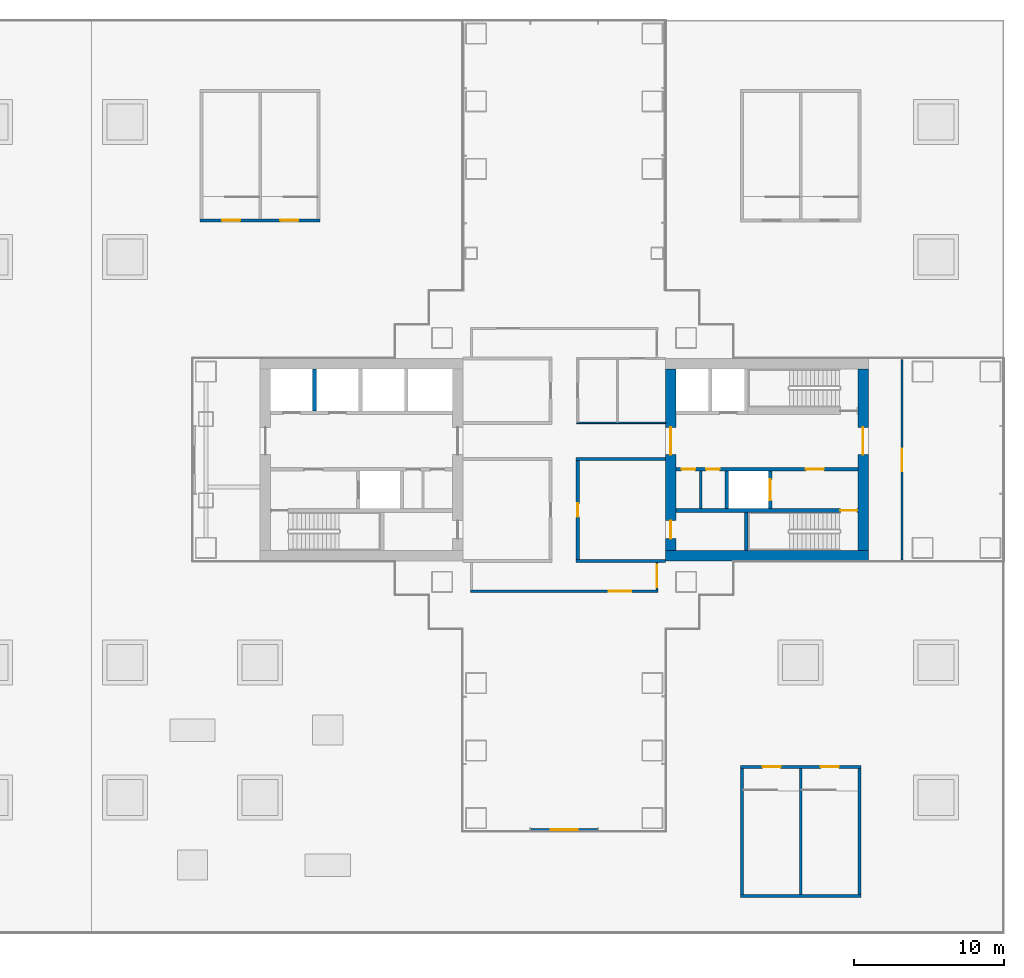
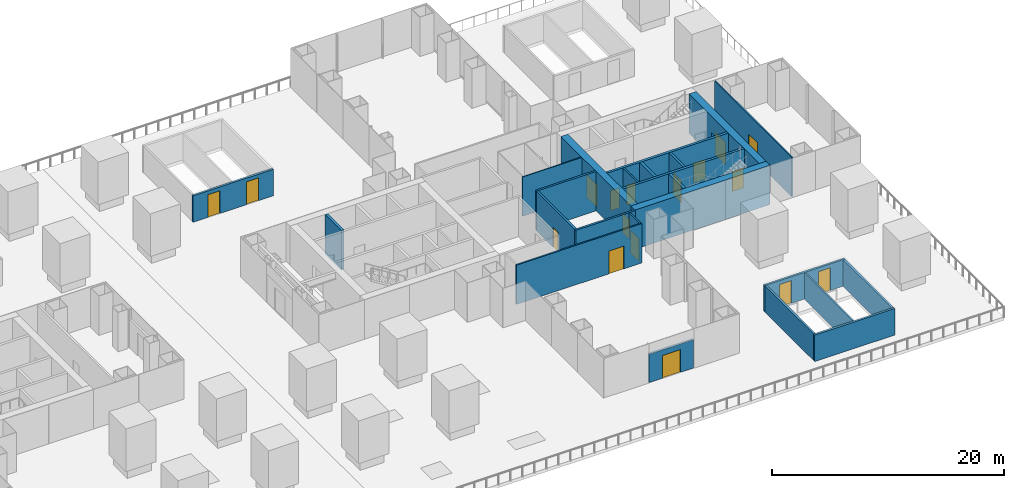
# One storey, part 17 of 23: 24 walls, 17 doors, 17 openings.
"""IFC4 building model written with IfcOpenShell, lengths in metres."""

from ifc_helpers import new_model, si_unit, direction, frame, frame_2d, origin, place, context, subcontext, project, spatial, rectangle, extrude, material, layer, layer_set, type_object, element, fill, save


model = new_model("IFC4")

# Units and contexts
model_context = context("Model", 3, precision=1e-05, world=origin(), true_north=direction((0.0, 1.0)))
body_context = subcontext(model_context, "Body", "Model", "MODEL_VIEW")
ifc_project = project(units=[si_unit("LENGTHUNIT", "METRE"), si_unit("AREAUNIT", "SQUARE_METRE"), si_unit("VOLUMEUNIT", "CUBIC_METRE"), si_unit("PLANEANGLEUNIT", "RADIAN"), si_unit("MASSUNIT", "GRAM", prefix="KILO")], contexts=[model_context])

# Site, building, storey
site_placement = place(None, origin())
site = spatial("IfcSite", under=ifc_project, at=site_placement, CompositionType="ELEMENT")
building_placement = place(site_placement, origin())
building = spatial("IfcBuilding", under=site, at=building_placement, Name="Shamsa Quay Exchange Towers", CompositionType="ELEMENT")
storey_placement = place(building_placement, frame((0.0, 0.0, 28.5)))
storey = spatial("IfcBuildingStorey", under=building, at=storey_placement, Name="L05", CompositionType="ELEMENT", Elevation=28.5)

# Wall
ifc_material_1 = material(Name="Concrete C80/95", Category="concrete")
ifc_layer_1 = layer(ifc_material_1, 0.699951171875)
ifc_layer_set_1 = layer_set([ifc_layer_1], Name="CORE WALL 700 C80/95")
wall_type_1 = type_object("IfcWallType", Name="CORE WALL 700 C80/95", PredefinedType="SHEAR", material=ifc_layer_set_1)
wall_1_placement = place(storey_placement, frame((54.0, -6.39990234375, 0.0), z_axis=(0.0, 0.0, 1.0), x_axis=(-1.0, 0.0, 0.0)))
element("IfcWall", 1, at=wall_1_placement, inside=storey, type_object=wall_type_1, Name="Core wall T2B-R01-PS", PredefinedType="SHEAR", context=body_context, shape_type="SweptSolid", body=[
    extrude(rectangle(XDim=13.5, YDim=0.699951171875, at=frame_2d((6.75, 0.0))), origin(), (0.0, 0.0, 1.0), 4.14990234375),
])

# Wall, opening, door
wall_2_placement = place(storey_placement, frame((53.64990234375, -6.050048828125, 0.0), z_axis=(0.0, 0.0, 1.0), x_axis=(0.0, 1.0, 0.0)))
wall_2 = element("IfcWall", 2, at=wall_2_placement, inside=storey, type_object=wall_type_1, Name="Core wall T2B-R01-PF", PredefinedType="SHEAR", context=body_context, shape_type="SweptSolid", body=[
    extrude(rectangle(XDim=12.10009765625, YDim=0.699951171875, at=frame_2d((6.050048828125, 0.0))), origin(), (0.0, 0.0, 1.0), 4.14990234375),
])
opening_1_placement = place(wall_2_placement, frame((6.39990234375, 0.0, 0.0)))
opening_1 = element("IfcOpeningElement", 3, at=opening_1_placement, cuts=wall_2, Name="Opening T2B-R01-LBD01", PredefinedType="OPENING", context=body_context, shape_type="SweptSolid", body=[
    extrude(rectangle(XDim=1.800048828125, YDim=2.39990234375, at=frame_2d((0.89990234375, 1.199951171875))), frame((0.0, 0.35986328125, 0.0), z_axis=(0.0, -1.0, 0.0), x_axis=(1.0, 0.0, 0.0)), (0.0, 0.0, 1.0), 0.719970703125),
])
ifc_material_2 = material(Name="Steel, fire rated", Category="steel")
door_type_1 = type_object("IfcDoorType", Name="LIFT LOBBY DOOR PAIR 1800", OperationType="DOUBLE_DOOR_SINGLE_SWING", PredefinedType="DOOR", material=ifc_material_2)
door_1_placement = place(opening_1_placement, origin())
door_1 = element("IfcDoor", 4, at=door_1_placement, inside=storey, type_object=door_type_1, Name="T2B-R01-LBD01", OperationType="DOUBLE_DOOR_SINGLE_SWING", OverallHeight=2.39990234375, OverallWidth=1.800048828125, PredefinedType="DOOR", context=body_context, shape_type="SweptSolid", body=[
    extrude(rectangle(XDim=1.800048828125, YDim=2.39990234375, at=frame_2d((0.89990234375, 1.199951171875))), frame((0.0, 0.02490234375, 0.0), z_axis=(0.0, -1.0, 0.0), x_axis=(1.0, 0.0, 0.0)), (0.0, 0.0, 1.0), 0.050048828125),
])
fill(opening_1, door_1)

# Wall, openings, doors
wall_3_placement = place(storey_placement, frame((40.85009765625, -6.050048828125, 0.0), z_axis=(0.0, 0.0, 1.0), x_axis=(0.0, 1.0, 0.0)))
wall_3 = element("IfcWall", 5, at=wall_3_placement, inside=storey, type_object=wall_type_1, Name="Core wall T2B-R01-PB", PredefinedType="SHEAR", context=body_context, shape_type="SweptSolid", body=[
    extrude(rectangle(XDim=12.10009765625, YDim=0.699951171875, at=frame_2d((6.050048828125, 0.0))), origin(), (0.0, 0.0, 1.0), 4.14990234375),
])
opening_2_placement = place(wall_3_placement, frame((0.800048828125, 0.0, 0.0)))
opening_2 = element("IfcOpeningElement", 6, at=opening_2_placement, cuts=wall_3, Name="Opening T2B-R01-RD02", PredefinedType="OPENING", context=body_context, shape_type="SweptSolid", body=[
    extrude(rectangle(XDim=1.199951171875, YDim=2.10009765625, at=frame_2d((0.60009765625, 1.050048828125))), frame((0.0, 0.35986328125, 0.0), z_axis=(0.0, -1.0, 0.0), x_axis=(1.0, 0.0, 0.0)), (0.0, 0.0, 1.0), 0.719970703125),
])
opening_3_placement = place(wall_3_placement, frame((6.39990234375, 0.0, 0.0)))
opening_3 = element("IfcOpeningElement", 7, at=opening_3_placement, cuts=wall_3, Name="Opening T2B-R01-LBD03", PredefinedType="OPENING", context=body_context, shape_type="SweptSolid", body=[
    extrude(rectangle(XDim=1.800048828125, YDim=2.39990234375, at=frame_2d((0.89990234375, 1.199951171875))), frame((0.0, 0.35986328125, 0.0), z_axis=(0.0, -1.0, 0.0), x_axis=(1.0, 0.0, 0.0)), (0.0, 0.0, 1.0), 0.719970703125),
])
door_2_placement = place(opening_3_placement, origin())
door_2 = element("IfcDoor", 8, at=door_2_placement, inside=storey, type_object=door_type_1, Name="T2B-R01-LBD03", OperationType="DOUBLE_DOOR_SINGLE_SWING", OverallHeight=2.39990234375, OverallWidth=1.800048828125, PredefinedType="DOOR", context=body_context, shape_type="SweptSolid", body=[
    extrude(rectangle(XDim=1.800048828125, YDim=2.39990234375, at=frame_2d((0.89990234375, 1.199951171875))), frame((0.0, 0.02490234375, 0.0), z_axis=(0.0, -1.0, 0.0), x_axis=(1.0, 0.0, 0.0)), (0.0, 0.0, 1.0), 0.050048828125),
])
fill(opening_3, door_2)
door_type_2 = type_object("IfcDoorType", Name="RISER ACCESS DOOR 1200", OperationType="SINGLE_SWING_LEFT", PredefinedType="DOOR", material=ifc_material_2)
door_3_placement = place(opening_2_placement, origin())
door_3 = element("IfcDoor", 9, at=door_3_placement, inside=storey, type_object=door_type_2, Name="T2B-R01-RD02", OperationType="SINGLE_SWING_LEFT", OverallHeight=2.10009765625, OverallWidth=1.199951171875, PredefinedType="DOOR", context=body_context, shape_type="SweptSolid", body=[
    extrude(rectangle(XDim=1.199951171875, YDim=2.10009765625, at=frame_2d((0.60009765625, 1.050048828125))), frame((0.0, 0.02490234375, 0.0), z_axis=(0.0, -1.0, 0.0), x_axis=(1.0, 0.0, 0.0)), (0.0, 0.0, 1.0), 0.050048828125),
])
fill(opening_2, door_3)

# Wall, opening, door
ifc_material_3 = material(Name="Aluminium EN AW-6063 T6, black anodised, with black enamelled glass infill", Category="aluminium")
ifc_layer_2 = layer(ifc_material_3, 0.199951171875)
ifc_layer_set_2 = layer_set([ifc_layer_2], Name="ENTRANCE DOOR BAY WALL 200")
wall_type_2 = type_object("IfcWallType", Name="ENTRANCE DOOR BAY WALL 200", PredefinedType="SOLIDWALL", material=ifc_layer_set_2)
wall_4_placement = place(storey_placement, frame((35.969970703125, -24.64990234375, 0.0), z_axis=(0.0, 0.0, 1.0), x_axis=(-1.0, 0.0, 0.0)))
wall_4 = element("IfcWall", 10, at=wall_4_placement, inside=storey, type_object=wall_type_2, Name="Entrance bay T2 L05 T2-END-U- bay 2", PredefinedType="SOLIDWALL", context=body_context, shape_type="SweptSolid", body=[
    extrude(rectangle(XDim=4.43994140625, YDim=0.199951171875, at=frame_2d((2.219970703125, 0.0))), origin(), (0.0, 0.0, 1.0), 3.0),
])
opening_4_placement = place(wall_4_placement, frame((1.320068359375, 0.0, 0.0)))
opening_4 = element("IfcOpeningElement", 11, at=opening_4_placement, cuts=wall_4, Name="Opening XD040", PredefinedType="OPENING", context=body_context, shape_type="SweptSolid", body=[
    extrude(rectangle(XDim=1.800048828125, YDim=2.39990234375, at=frame_2d((0.89990234375, 1.199951171875))), frame((0.0, 0.10986328125, 0.0), z_axis=(0.0, -1.0, 0.0), x_axis=(1.0, 0.0, 0.0)), (0.0, 0.0, 1.0), 0.219970703125),
])
ifc_material_4 = material(Name="Aluminium EN AW-6063 T6, black anodised, with laminated glass leaves", Category="aluminium")
door_type_3 = type_object("IfcDoorType", Name="TERRACE DOOR 1800x2400", OperationType="DOUBLE_DOOR_SINGLE_SWING", PredefinedType="DOOR", material=ifc_material_4)
door_4_placement = place(opening_4_placement, origin())
door_4 = element("IfcDoor", 12, at=door_4_placement, inside=storey, type_object=door_type_3, Name="Terrace door T2 L05 T2-END-U- bay 2", OperationType="DOUBLE_DOOR_SINGLE_SWING", OverallHeight=2.39990234375, OverallWidth=1.800048828125, PredefinedType="DOOR", context=body_context, shape_type="SweptSolid", body=[
    extrude(rectangle(XDim=1.800048828125, YDim=2.39990234375, at=frame_2d((0.89990234375, 1.199951171875))), frame((0.0, 0.02490234375, 0.0), z_axis=(0.0, -1.0, 0.0), x_axis=(1.0, 0.0, 0.0)), (0.0, 0.0, 1.0), 0.050048828125),
])
fill(opening_4, door_4)

# Wall
ifc_material_5 = material(Name="Gypsum board on steel studs, EI 60", Category="steel")
ifc_layer_3 = layer(ifc_material_5, 0.14990234375)
ifc_layer_set_3 = layer_set([ifc_layer_3], Name="FIRE PARTITION 150")
wall_type_3 = type_object("IfcWallType", Name="FIRE PARTITION 150", PredefinedType="PARTITIONING", material=ifc_layer_set_3)
wall_5_placement = place(storey_placement, frame((42.85009765625, -3.25, 0.0), z_axis=(0.0, 0.0, 1.0), x_axis=(0.0, 1.0, 0.0)))
element("IfcWall", 13, at=wall_5_placement, inside=storey, type_object=wall_type_3, Name="Partition T2B-R01-EC0", PredefinedType="PARTITIONING", context=body_context, shape_type="SweptSolid", body=[
    extrude(rectangle(XDim=2.5, YDim=0.14990234375, at=frame_2d((1.25, 0.0))), origin(), (0.0, 0.0, 1.0), 4.14990234375),
])

# Wall, opening, door
ifc_material_6 = material(Name="Laminated fire-resisting glass in a metal frame", Category="glass")
ifc_layer_4 = layer(ifc_material_6, 0.125)
ifc_layer_set_4 = layer_set([ifc_layer_4], Name="Glazed partition 125 mm EI 60")
wall_type_4 = type_object("IfcWallType", Name="Glazed partition 125 mm EI 60", PredefinedType="PARTITIONING", material=ifc_layer_set_4)
wall_6_placement = place(storey_placement, frame((56.25, -6.655029296875, 0.0), z_axis=(0.0, 0.0, 1.0), x_axis=(0.0, 1.0, 0.0)))
wall_6 = element("IfcWall", 14, at=wall_6_placement, inside=storey, type_object=wall_type_4, Name="Partition T2-R01-W19", PredefinedType="PARTITIONING", context=body_context, shape_type="SweptSolid", body=[
    extrude(rectangle(XDim=13.31005859375, YDim=0.125, at=frame_2d((6.655029296875, 0.0))), origin(), (0.0, 0.0, 1.0), 4.14990234375),
])
opening_5_placement = place(wall_6_placement, frame((5.905029296875, 0.0, 0.0)))
opening_5 = element("IfcOpeningElement", 15, at=opening_5_placement, cuts=wall_6, Name="Opening T2-R01-D01", PredefinedType="OPENING", context=body_context, shape_type="SweptSolid", body=[
    extrude(rectangle(XDim=1.5, YDim=2.10009765625, at=frame_2d((0.75, 1.050048828125))), frame((0.0, 0.072509765625, 0.0), z_axis=(0.0, -1.0, 0.0), x_axis=(1.0, 0.0, 0.0)), (0.0, 0.0, 1.0), 0.14501953125),
])
ifc_material_7 = material(Name="Timber door leaf in a metal frame", Category="wood")
door_type_4 = type_object("IfcDoorType", Name="Door 1500x2100 FD30S pair", OperationType="NOTDEFINED", PredefinedType="DOOR", material=ifc_material_7)
door_5_placement = place(opening_5_placement, origin())
door_5 = element("IfcDoor", 16, at=door_5_placement, inside=storey, type_object=door_type_4, Name="Door T2-R01-D01", OperationType="DOUBLE_DOOR_SINGLE_SWING", OverallHeight=2.10009765625, OverallWidth=1.5, PredefinedType="DOOR", context=body_context, shape_type="SweptSolid", body=[
    extrude(rectangle(XDim=1.5, YDim=2.10009765625, at=frame_2d((0.75, 1.050048828125))), frame((0.0, 0.02490234375, 0.0), z_axis=(0.0, -1.0, 0.0), x_axis=(1.0, 0.0, 0.0)), (0.0, 0.0, 1.0), 0.050048828125),
])
fill(opening_5, door_5)

# Wall
ifc_material_8 = material(Name="Gypsum board partition on metal studs")
ifc_layer_5 = layer(ifc_material_8, 0.10009765625)
ifc_layer_set_5 = layer_set([ifc_layer_5], Name="Partition 100 mm NOT RATED")
wall_type_5 = type_object("IfcWallType", Name="Partition 100 mm NOT RATED", PredefinedType="PARTITIONING", material=ifc_layer_set_5)
wall_7_placement = place(storey_placement, frame((34.600341796875, 2.4501953125, 0.0)))
element("IfcWall", 17, at=wall_7_placement, inside=storey, type_object=wall_type_5, Name="Partition T2-R01-W09", PredefinedType="PARTITIONING", context=body_context, shape_type="SweptSolid", body=[
    extrude(rectangle(XDim=5.899658203125, YDim=0.10009765625, at=frame_2d((2.94970703125, 0.0))), origin(), (0.0, 0.0, 1.0), 4.14990234375),
])

# Wall, opening, door
ifc_layer_6 = layer(ifc_material_8, 0.14990234375)
ifc_layer_set_6 = layer_set([ifc_layer_6], Name="Partition 150 mm EI 60")
wall_type_6 = type_object("IfcWallType", Name="Partition 150 mm EI 60", PredefinedType="PARTITIONING", material=ifc_layer_set_6)
wall_8_placement = place(storey_placement, frame((39.9248046875, -8.675048828125, 0.0), z_axis=(0.0, 0.0, 1.0), x_axis=(0.0, 1.0, 0.0)))
wall_8 = element("IfcWall", 18, at=wall_8_placement, inside=storey, type_object=wall_type_6, Name="Partition T2-R01-W14", PredefinedType="PARTITIONING", context=body_context, shape_type="SweptSolid", body=[
    extrude(rectangle(XDim=1.824951171875, YDim=0.14990234375, at=frame_2d((0.91259765625, 0.0))), origin(), (0.0, 0.0, 1.0), 4.14990234375),
])
opening_6_placement = place(wall_8_placement, frame((0.175048828125, 0.0, 0.0)))
opening_6 = element("IfcOpeningElement", 19, at=opening_6_placement, cuts=wall_8, Name="Opening T2-R01-D03", PredefinedType="OPENING", context=body_context, shape_type="SweptSolid", body=[
    extrude(rectangle(XDim=1.5, YDim=2.39990234375, at=frame_2d((0.75, 1.199951171875))), frame((0.0, 0.0849609375, 0.0), z_axis=(0.0, -1.0, 0.0), x_axis=(1.0, 0.0, 0.0)), (0.0, 0.0, 1.0), 0.169921875),
])
door_type_5 = type_object("IfcDoorType", Name="Door 1500x2400 FD30S pair", OperationType="NOTDEFINED", PredefinedType="DOOR", material=ifc_material_7)
door_6_placement = place(opening_6_placement, origin())
door_6 = element("IfcDoor", 20, at=door_6_placement, inside=storey, type_object=door_type_5, Name="Door T2-R01-D03", OperationType="DOUBLE_DOOR_SINGLE_SWING", OverallHeight=2.39990234375, OverallWidth=1.5, PredefinedType="DOOR", context=body_context, shape_type="SweptSolid", body=[
    extrude(rectangle(XDim=1.5, YDim=2.39990234375, at=frame_2d((0.75, 1.199951171875))), frame((0.0, 0.02490234375, 0.0), z_axis=(0.0, -1.0, 0.0), x_axis=(1.0, 0.0, 0.0)), (0.0, 0.0, 1.0), 0.050048828125),
])
fill(opening_6, door_6)

wall_9_placement = place(storey_placement, frame((27.500244140625, -8.75, 0.0)))
wall_9 = element("IfcWall", 21, at=wall_9_placement, inside=storey, type_object=wall_type_6, Name="Partition T2-R01-W18", PredefinedType="PARTITIONING", context=body_context, shape_type="SweptSolid", body=[
    extrude(rectangle(XDim=12.49951171875, YDim=0.14990234375, at=frame_2d((6.249755859375, 0.0))), origin(), (0.0, 0.0, 1.0), 4.14990234375),
])
opening_7_placement = place(wall_9_placement, frame((9.20458984375, 0.0, 0.0)))
opening_7 = element("IfcOpeningElement", 22, at=opening_7_placement, cuts=wall_9, Name="Opening T2-R01-D02", PredefinedType="OPENING", context=body_context, shape_type="SweptSolid", body=[
    extrude(rectangle(XDim=1.5, YDim=2.39990234375, at=frame_2d((0.75, 1.199951171875))), frame((0.0, 0.0849609375, 0.0), z_axis=(0.0, -1.0, 0.0), x_axis=(1.0, 0.0, 0.0)), (0.0, 0.0, 1.0), 0.169921875),
])
door_7_placement = place(opening_7_placement, origin())
door_7 = element("IfcDoor", 23, at=door_7_placement, inside=storey, type_object=door_type_5, Name="Door T2-R01-D02", OperationType="DOUBLE_DOOR_SINGLE_SWING", OverallHeight=2.39990234375, OverallWidth=1.5, PredefinedType="DOOR", context=body_context, shape_type="SweptSolid", body=[
    extrude(rectangle(XDim=1.5, YDim=2.39990234375, at=frame_2d((0.75, 1.199951171875))), frame((0.0, 0.02490234375, 0.0), z_axis=(0.0, -1.0, 0.0), x_axis=(1.0, 0.0, 0.0)), (0.0, 0.0, 1.0), 0.050048828125),
])
fill(opening_7, door_7)

# Walls
ifc_layer_7 = layer(ifc_material_8, 0.199951171875)
ifc_layer_set_7 = layer_set([ifc_layer_7], Name="Partition 200 mm EI 120")
wall_type_7 = type_object("IfcWallType", Name="Partition 200 mm EI 120", PredefinedType="PARTITIONING", material=ifc_layer_set_7)
wall_10_placement = place(storey_placement, frame((40.5, 0.0498046875, 0.0), z_axis=(0.0, 0.0, 1.0), x_axis=(-1.0, 0.0, 0.0)))
element("IfcWall", 24, at=wall_10_placement, inside=storey, type_object=wall_type_7, Name="Partition T2-R01-W06", PredefinedType="PARTITIONING", context=body_context, shape_type="SweptSolid", body=[
    extrude(rectangle(XDim=5.94970703125, YDim=0.199951171875, at=frame_2d((2.974853515625, 0.0))), origin(), (0.0, 0.0, 1.0), 4.14990234375),
])
wall_11_placement = place(storey_placement, frame((34.55029296875, -6.75, 0.0)))
element("IfcWall", 25, at=wall_11_placement, inside=storey, type_object=wall_type_7, Name="Partition T2-R01-W07", PredefinedType="PARTITIONING", context=body_context, shape_type="SweptSolid", body=[
    extrude(rectangle(XDim=5.94970703125, YDim=0.199951171875, at=frame_2d((2.974853515625, 0.0))), origin(), (0.0, 0.0, 1.0), 4.14990234375),
])

# Wall, opening, door
wall_12_placement = place(storey_placement, frame((34.650390625, -0.05029296875, 0.0), z_axis=(0.0, 0.0, 1.0), x_axis=(0.0, -1.0, 0.0)))
wall_12 = element("IfcWall", 26, at=wall_12_placement, inside=storey, type_object=wall_type_7, Name="Partition T2-R01-W12", PredefinedType="PARTITIONING", context=body_context, shape_type="SweptSolid", body=[
    extrude(rectangle(XDim=6.599609375, YDim=0.199951171875, at=frame_2d((3.2998046875, 0.0))), origin(), (0.0, 0.0, 1.0), 4.14990234375),
])
opening_8_placement = place(wall_12_placement, frame((2.849853515625, 0.0, 0.0)))
opening_8 = element("IfcOpeningElement", 27, at=opening_8_placement, cuts=wall_12, Name="Opening T2-R01-D05", PredefinedType="OPENING", context=body_context, shape_type="SweptSolid", body=[
    extrude(rectangle(XDim=0.89990234375, YDim=2.10009765625, at=frame_2d((0.449951171875, 1.050048828125))), frame((0.0, 0.10986328125, 0.0), z_axis=(0.0, -1.0, 0.0), x_axis=(1.0, 0.0, 0.0)), (0.0, 0.0, 1.0), 0.219970703125),
])
door_type_6 = type_object("IfcDoorType", Name="Door 900x2100 FD60", OperationType="NOTDEFINED", PredefinedType="DOOR", material=ifc_material_7)
door_8_placement = place(opening_8_placement, origin())
door_8 = element("IfcDoor", 28, at=door_8_placement, inside=storey, type_object=door_type_6, Name="Door T2-R01-D05", OperationType="SINGLE_SWING_RIGHT", OverallHeight=2.10009765625, OverallWidth=0.89990234375, PredefinedType="DOOR", context=body_context, shape_type="SweptSolid", body=[
    extrude(rectangle(XDim=0.89990234375, YDim=2.10009765625, at=frame_2d((0.449951171875, 1.050048828125))), frame((0.0, 0.02490234375, 0.0), z_axis=(0.0, -1.0, 0.0), x_axis=(1.0, 0.0, 0.0)), (0.0, 0.0, 1.0), 0.050048828125),
])
fill(opening_8, door_8)

# Wall
ifc_material_9 = material(Name="Concrete C50/60", Category="concrete")
ifc_layer_8 = layer(ifc_material_9, 0.25)
ifc_layer_set_8 = layer_set([ifc_layer_8], Name="SHAFT WALL 250 C50/60")
wall_type_8 = type_object("IfcWallType", Name="SHAFT WALL 250 C50/60", PredefinedType="SHEAR", material=ifc_layer_set_8)
wall_13_placement = place(storey_placement, frame((17.125, 3.25, 0.0), z_axis=(0.0, 0.0, 1.0), x_axis=(0.0, 1.0, 0.0)))
element("IfcWall", 29, at=wall_13_placement, inside=storey, type_object=wall_type_8, Name="Shaft wall T2A-R01-D0", PredefinedType="SHEAR", context=body_context, shape_type="SweptSolid", body=[
    extrude(rectangle(XDim=2.800048828125, YDim=0.25, at=frame_2d((1.39990234375, 0.0))), origin(), (0.0, 0.0, 1.0), 4.14990234375),
])

# Wall, opening, door
wall_14_placement = place(storey_placement, frame((53.300048828125, -3.375, 0.0), z_axis=(0.0, 0.0, 1.0), x_axis=(-1.0, 0.0, 0.0)))
wall_14 = element("IfcWall", 30, at=wall_14_placement, inside=storey, type_object=wall_type_8, Name="Shaft wall T2B-R01-STL", PredefinedType="SHEAR", context=body_context, shape_type="SweptSolid", body=[
    extrude(rectangle(XDim=12.10009765625, YDim=0.25, at=frame_2d((6.050048828125, 0.0))), origin(), (0.0, 0.0, 1.0), 4.14990234375),
])
opening_9_placement = place(wall_14_placement, frame((0.050048828125, 0.0, 0.0)))
opening_9 = element("IfcOpeningElement", 31, at=opening_9_placement, cuts=wall_14, Name="Opening T2B-R01-SD04", PredefinedType="OPENING", context=body_context, shape_type="SweptSolid", body=[
    extrude(rectangle(XDim=1.10009765625, YDim=2.10009765625, at=frame_2d((0.550048828125, 1.050048828125))), frame((0.0, 0.135009765625, 0.0), z_axis=(0.0, -1.0, 0.0), x_axis=(1.0, 0.0, 0.0)), (0.0, 0.0, 1.0), 0.27001953125),
])
door_type_7 = type_object("IfcDoorType", Name="STAIR DOOR 1100", OperationType="SINGLE_SWING_LEFT", PredefinedType="DOOR", material=ifc_material_2)
door_9_placement = place(opening_9_placement, origin())
door_9 = element("IfcDoor", 32, at=door_9_placement, inside=storey, type_object=door_type_7, Name="T2B-R01-SD04", OperationType="SINGLE_SWING_LEFT", OverallHeight=2.10009765625, OverallWidth=1.10009765625, PredefinedType="DOOR", context=body_context, shape_type="SweptSolid", body=[
    extrude(rectangle(XDim=1.10009765625, YDim=2.10009765625, at=frame_2d((0.550048828125, 1.050048828125))), frame((0.0, 0.02490234375, 0.0), z_axis=(0.0, -1.0, 0.0), x_axis=(1.0, 0.0, 0.0)), (0.0, 0.0, 1.0), 0.050048828125),
])
fill(opening_9, door_9)

# Wall
wall_15_placement = place(storey_placement, frame((45.875, -6.050048828125, 0.0), z_axis=(0.0, 0.0, 1.0), x_axis=(0.0, 1.0, 0.0)))
element("IfcWall", 33, at=wall_15_placement, inside=storey, type_object=wall_type_8, Name="Shaft wall T2B-R01-STF", PredefinedType="SHEAR", context=body_context, shape_type="SweptSolid", body=[
    extrude(rectangle(XDim=2.550048828125, YDim=0.25, at=frame_2d((1.27490234375, 0.0))), origin(), (0.0, 0.0, 1.0), 4.14990234375),
])

# Wall, openings, doors
wall_16_placement = place(storey_placement, frame((53.300048828125, -0.625, 0.0), z_axis=(0.0, 0.0, 1.0), x_axis=(-1.0, 0.0, 0.0)))
wall_16 = element("IfcWall", 34, at=wall_16_placement, inside=storey, type_object=wall_type_8, Name="Shaft wall T2B-R01-B", PredefinedType="SHEAR", context=body_context, shape_type="SweptSolid", body=[
    extrude(rectangle(XDim=12.10009765625, YDim=0.25, at=frame_2d((6.050048828125, 0.0))), origin(), (0.0, 0.0, 1.0), 4.14990234375),
])
opening_10_placement = place(wall_16_placement, frame((2.25, 0.0, 0.0)))
opening_10 = element("IfcOpeningElement", 35, at=opening_10_placement, cuts=wall_16, Name="Opening T2B-R01-FD05", PredefinedType="OPENING", context=body_context, shape_type="SweptSolid", body=[
    extrude(rectangle(XDim=1.199951171875, YDim=2.10009765625, at=frame_2d((0.60009765625, 1.050048828125))), frame((0.0, 0.135009765625, 0.0), z_axis=(0.0, -1.0, 0.0), x_axis=(1.0, 0.0, 0.0)), (0.0, 0.0, 1.0), 0.27001953125),
])
opening_11_placement = place(wall_16_placement, frame((9.199951171875, 0.0, 0.0)))
opening_11 = element("IfcOpeningElement", 36, at=opening_11_placement, cuts=wall_16, Name="Opening T2B-R01-SV06", PredefinedType="OPENING", context=body_context, shape_type="SweptSolid", body=[
    extrude(rectangle(XDim=0.89990234375, YDim=2.10009765625, at=frame_2d((0.449951171875, 1.050048828125))), frame((0.0, 0.135009765625, 0.0), z_axis=(0.0, -1.0, 0.0), x_axis=(1.0, 0.0, 0.0)), (0.0, 0.0, 1.0), 0.27001953125),
])
opening_12_placement = place(wall_16_placement, frame((10.824951171875, 0.0, 0.0)))
opening_12 = element("IfcOpeningElement", 37, at=opening_12_placement, cuts=wall_16, Name="Opening T2B-R01-SV07", PredefinedType="OPENING", context=body_context, shape_type="SweptSolid", body=[
    extrude(rectangle(XDim=0.89990234375, YDim=2.10009765625, at=frame_2d((0.449951171875, 1.050048828125))), frame((0.0, 0.135009765625, 0.0), z_axis=(0.0, -1.0, 0.0), x_axis=(1.0, 0.0, 0.0)), (0.0, 0.0, 1.0), 0.27001953125),
])
door_type_8 = type_object("IfcDoorType", Name="FIRE SERVICE LOBBY DOOR 1200", OperationType="SINGLE_SWING_LEFT", PredefinedType="DOOR", material=ifc_material_2)
door_10_placement = place(opening_10_placement, origin())
door_10 = element("IfcDoor", 38, at=door_10_placement, inside=storey, type_object=door_type_8, Name="T2B-R01-FD05", OperationType="SINGLE_SWING_LEFT", OverallHeight=2.10009765625, OverallWidth=1.199951171875, PredefinedType="DOOR", context=body_context, shape_type="SweptSolid", body=[
    extrude(rectangle(XDim=1.199951171875, YDim=2.10009765625, at=frame_2d((0.60009765625, 1.050048828125))), frame((0.0, 0.02490234375, 0.0), z_axis=(0.0, -1.0, 0.0), x_axis=(1.0, 0.0, 0.0)), (0.0, 0.0, 1.0), 0.050048828125),
])
fill(opening_10, door_10)
door_type_9 = type_object("IfcDoorType", Name="SERVICE ROOM DOOR 900", OperationType="SINGLE_SWING_LEFT", PredefinedType="DOOR", material=ifc_material_2)
door_11_placement = place(opening_11_placement, origin())
door_11 = element("IfcDoor", 39, at=door_11_placement, inside=storey, type_object=door_type_9, Name="T2B-R01-SV06", OperationType="SINGLE_SWING_RIGHT", OverallHeight=2.10009765625, OverallWidth=0.89990234375, PredefinedType="DOOR", context=body_context, shape_type="SweptSolid", body=[
    extrude(rectangle(XDim=0.89990234375, YDim=2.10009765625, at=frame_2d((0.449951171875, 1.050048828125))), frame((0.0, 0.02490234375, 0.0), z_axis=(0.0, -1.0, 0.0), x_axis=(1.0, 0.0, 0.0)), (0.0, 0.0, 1.0), 0.050048828125),
])
fill(opening_11, door_11)
door_12_placement = place(opening_12_placement, origin())
door_12 = element("IfcDoor", 40, at=door_12_placement, inside=storey, type_object=door_type_9, Name="T2B-R01-SV07", OperationType="SINGLE_SWING_RIGHT", OverallHeight=2.10009765625, OverallWidth=0.89990234375, PredefinedType="DOOR", context=body_context, shape_type="SweptSolid", body=[
    extrude(rectangle(XDim=0.89990234375, YDim=2.10009765625, at=frame_2d((0.449951171875, 1.050048828125))), frame((0.0, 0.02490234375, 0.0), z_axis=(0.0, -1.0, 0.0), x_axis=(1.0, 0.0, 0.0)), (0.0, 0.0, 1.0), 0.050048828125),
])
fill(opening_12, door_12)

# Wall, opening, door
wall_17_placement = place(storey_placement, frame((47.47509765625, -3.25, 0.0), z_axis=(0.0, 0.0, 1.0), x_axis=(0.0, 1.0, 0.0)))
wall_17 = element("IfcWall", 41, at=wall_17_placement, inside=storey, type_object=wall_type_8, Name="Shaft wall T2B-R01-FFF", PredefinedType="SHEAR", context=body_context, shape_type="SweptSolid", body=[
    extrude(rectangle(XDim=2.5, YDim=0.25, at=frame_2d((1.25, 0.0))), origin(), (0.0, 0.0, 1.0), 4.14990234375),
])
opening_13_placement = place(wall_17_placement, frame((0.550048828125, 0.0, 0.0)))
opening_13 = element("IfcOpeningElement", 42, at=opening_13_placement, cuts=wall_17, Name="Opening T2B-R01-LDG08", PredefinedType="OPENING", context=body_context, shape_type="SweptSolid", body=[
    extrude(rectangle(XDim=1.39990234375, YDim=2.39990234375, at=frame_2d((0.699951171875, 1.199951171875))), frame((0.0, 0.135009765625, 0.0), z_axis=(0.0, -1.0, 0.0), x_axis=(1.0, 0.0, 0.0)), (0.0, 0.0, 1.0), 0.27001953125),
])
door_type_10 = type_object("IfcDoorType", Name="GOODS LIFT LANDING DOOR 1400", OperationType="SLIDING_TO_LEFT", PredefinedType="DOOR", material=ifc_material_2)
door_13_placement = place(opening_13_placement, origin())
door_13 = element("IfcDoor", 43, at=door_13_placement, inside=storey, type_object=door_type_10, Name="T2B-R01-LDG08", OperationType="SLIDING_TO_LEFT", OverallHeight=2.39990234375, OverallWidth=1.39990234375, PredefinedType="DOOR", context=body_context, shape_type="SweptSolid", body=[
    extrude(rectangle(XDim=1.39990234375, YDim=2.39990234375, at=frame_2d((0.699951171875, 1.199951171875))), frame((0.0, 0.02490234375, 0.0), z_axis=(0.0, -1.0, 0.0), x_axis=(1.0, 0.0, 0.0)), (0.0, 0.0, 1.0), 0.050048828125),
])
fill(opening_13, door_13)

# Wall
wall_18_placement = place(storey_placement, frame((44.574951171875, -3.25, 0.0), z_axis=(0.0, 0.0, 1.0), x_axis=(0.0, 1.0, 0.0)))
element("IfcWall", 44, at=wall_18_placement, inside=storey, type_object=wall_type_8, Name="Shaft wall T2B-R01-FFB", PredefinedType="SHEAR", context=body_context, shape_type="SweptSolid", body=[
    extrude(rectangle(XDim=2.5, YDim=0.25, at=frame_2d((1.25, 0.0))), origin(), (0.0, 0.0, 1.0), 4.14990234375),
])

# Wall, openings, doors
ifc_layer_9 = layer(ifc_material_9, 0.199951171875)
ifc_layer_set_9 = layer_set([ifc_layer_9], Name="STAIR ENCLOSURE WALL 200 C50/60")
wall_type_9 = type_object("IfcWallType", Name="STAIR ENCLOSURE WALL 200 C50/60", PredefinedType="SHEAR", material=ifc_layer_set_9)
wall_19_placement = place(storey_placement, frame((9.5, 15.949951171875, 0.0)))
wall_19 = element("IfcWall", 45, at=wall_19_placement, inside=storey, type_object=wall_type_9, Name="Stair enclosure wall PS3 inward", PredefinedType="SHEAR", context=body_context, shape_type="SweptSolid", body=[
    extrude(rectangle(XDim=8.0, YDim=0.199951171875, at=frame_2d((4.0, 0.0))), origin(), (0.0, 0.0, 1.0), 2.800048828125),
])
opening_14_placement = place(wall_19_placement, frame((1.46240234375, 0.0, 0.0)))
opening_14 = element("IfcOpeningElement", 46, at=opening_14_placement, cuts=wall_19, Name="Opening PS3A-L05-SD01", PredefinedType="OPENING", context=body_context, shape_type="SweptSolid", body=[
    extrude(rectangle(XDim=1.199951171875, YDim=2.39990234375, at=frame_2d((0.60009765625, 1.199951171875))), frame((0.0, 0.10986328125, 0.0), z_axis=(0.0, -1.0, 0.0), x_axis=(1.0, 0.0, 0.0)), (0.0, 0.0, 1.0), 0.219970703125),
])
opening_15_placement = place(wall_19_placement, frame((5.33740234375, 0.0, 0.0)))
opening_15 = element("IfcOpeningElement", 47, at=opening_15_placement, cuts=wall_19, Name="Opening PS3B-L05-SD01", PredefinedType="OPENING", context=body_context, shape_type="SweptSolid", body=[
    extrude(rectangle(XDim=1.199951171875, YDim=2.39990234375, at=frame_2d((0.60009765625, 1.199951171875))), frame((0.0, 0.10986328125, 0.0), z_axis=(0.0, -1.0, 0.0), x_axis=(1.0, 0.0, 0.0)), (0.0, 0.0, 1.0), 0.219970703125),
])
door_type_11 = type_object("IfcDoorType", Name="PODIUM STAIR DOOR 1200", OperationType="SINGLE_SWING_LEFT", PredefinedType="DOOR", material=ifc_material_2)
door_14_placement = place(opening_14_placement, origin())
door_14 = element("IfcDoor", 48, at=door_14_placement, inside=storey, type_object=door_type_11, Name="PS3A-L05-SD01", OperationType="SINGLE_SWING_LEFT", OverallHeight=2.39990234375, OverallWidth=1.199951171875, PredefinedType="DOOR", context=body_context, shape_type="SweptSolid", body=[
    extrude(rectangle(XDim=1.199951171875, YDim=2.39990234375, at=frame_2d((0.60009765625, 1.199951171875))), frame((0.0, 0.02490234375, 0.0), z_axis=(0.0, -1.0, 0.0), x_axis=(1.0, 0.0, 0.0)), (0.0, 0.0, 1.0), 0.050048828125),
])
fill(opening_14, door_14)
door_15_placement = place(opening_15_placement, origin())
door_15 = element("IfcDoor", 49, at=door_15_placement, inside=storey, type_object=door_type_11, Name="PS3B-L05-SD01", OperationType="SINGLE_SWING_RIGHT", OverallHeight=2.39990234375, OverallWidth=1.199951171875, PredefinedType="DOOR", context=body_context, shape_type="SweptSolid", body=[
    extrude(rectangle(XDim=1.199951171875, YDim=2.39990234375, at=frame_2d((0.60009765625, 1.199951171875))), frame((0.0, 0.02490234375, 0.0), z_axis=(0.0, -1.0, 0.0), x_axis=(1.0, 0.0, 0.0)), (0.0, 0.0, 1.0), 0.050048828125),
])
fill(opening_15, door_15)

wall_20_placement = place(storey_placement, frame((53.5, -20.449951171875, 0.0), z_axis=(0.0, 0.0, 1.0), x_axis=(-1.0, 0.0, 0.0)))
wall_20 = element("IfcWall", 50, at=wall_20_placement, inside=storey, type_object=wall_type_9, Name="Stair enclosure wall PS6 inward", PredefinedType="SHEAR", context=body_context, shape_type="SweptSolid", body=[
    extrude(rectangle(XDim=8.0, YDim=0.199951171875, at=frame_2d((4.0, 0.0))), origin(), (0.0, 0.0, 1.0), 2.800048828125),
])
opening_16_placement = place(wall_20_placement, frame((5.33740234375, 0.0, 0.0)))
opening_16 = element("IfcOpeningElement", 51, at=opening_16_placement, cuts=wall_20, Name="Opening PS6A-L05-SD01", PredefinedType="OPENING", context=body_context, shape_type="SweptSolid", body=[
    extrude(rectangle(XDim=1.199951171875, YDim=2.39990234375, at=frame_2d((0.60009765625, 1.199951171875))), frame((0.0, 0.10986328125, 0.0), z_axis=(0.0, -1.0, 0.0), x_axis=(1.0, 0.0, 0.0)), (0.0, 0.0, 1.0), 0.219970703125),
])
opening_17_placement = place(wall_20_placement, frame((1.46240234375, 0.0, 0.0)))
opening_17 = element("IfcOpeningElement", 52, at=opening_17_placement, cuts=wall_20, Name="Opening PS6B-L05-SD01", PredefinedType="OPENING", context=body_context, shape_type="SweptSolid", body=[
    extrude(rectangle(XDim=1.199951171875, YDim=2.39990234375, at=frame_2d((0.60009765625, 1.199951171875))), frame((0.0, 0.10986328125, 0.0), z_axis=(0.0, -1.0, 0.0), x_axis=(1.0, 0.0, 0.0)), (0.0, 0.0, 1.0), 0.219970703125),
])
door_16_placement = place(opening_16_placement, origin())
door_16 = element("IfcDoor", 53, at=door_16_placement, inside=storey, type_object=door_type_11, Name="PS6A-L05-SD01", OperationType="SINGLE_SWING_LEFT", OverallHeight=2.39990234375, OverallWidth=1.199951171875, PredefinedType="DOOR", context=body_context, shape_type="SweptSolid", body=[
    extrude(rectangle(XDim=1.199951171875, YDim=2.39990234375, at=frame_2d((0.60009765625, 1.199951171875))), frame((0.0, 0.02490234375, 0.0), z_axis=(0.0, -1.0, 0.0), x_axis=(1.0, 0.0, 0.0)), (0.0, 0.0, 1.0), 0.050048828125),
])
fill(opening_16, door_16)
door_17_placement = place(opening_17_placement, origin())
door_17 = element("IfcDoor", 54, at=door_17_placement, inside=storey, type_object=door_type_11, Name="PS6B-L05-SD01", OperationType="SINGLE_SWING_RIGHT", OverallHeight=2.39990234375, OverallWidth=1.199951171875, PredefinedType="DOOR", context=body_context, shape_type="SweptSolid", body=[
    extrude(rectangle(XDim=1.199951171875, YDim=2.39990234375, at=frame_2d((0.60009765625, 1.199951171875))), frame((0.0, 0.02490234375, 0.0), z_axis=(0.0, -1.0, 0.0), x_axis=(1.0, 0.0, 0.0)), (0.0, 0.0, 1.0), 0.050048828125),
])
fill(opening_17, door_17)

# Walls
wall_21_placement = place(storey_placement, frame((45.5, -29.050048828125, 0.0)))
element("IfcWall", 55, at=wall_21_placement, inside=storey, type_object=wall_type_9, Name="Stair enclosure wall PS6 outward", PredefinedType="SHEAR", context=body_context, shape_type="SweptSolid", body=[
    extrude(rectangle(XDim=8.0, YDim=0.199951171875, at=frame_2d((4.0, 0.0))), origin(), (0.0, 0.0, 1.0), 2.800048828125),
])
for number, where, z_axis, x_axis, name in (
    (56, (45.60009765625, -28.949951171875, 0.0), (0.0, 0.0, 1.0), (0.0, 1.0, 0.0), "Stair enclosure wall PS6 west"),
    (57, (53.39990234375, -28.949951171875, 0.0), (0.0, 0.0, 1.0), (0.0, 1.0, 0.0), "Stair enclosure wall PS6 east"),
):
    element("IfcWall", number, at=place(storey_placement, frame(where, z_axis=z_axis, x_axis=x_axis)), inside=storey, type_object=wall_type_9, Name=name, PredefinedType="SHEAR", context=body_context, shape_type="SweptSolid", body=[
        extrude(rectangle(XDim=8.39990234375, YDim=0.199951171875, at=frame_2d((4.199951171875, 0.0))), origin(), (0.0, 0.0, 1.0), 2.800048828125),
    ])
ifc_layer_10 = layer(ifc_material_9, 0.14990234375)
ifc_layer_set_10 = layer_set([ifc_layer_10], Name="STAIR PARTITION WALL 150 C50/60")
wall_type_10 = type_object("IfcWallType", Name="STAIR PARTITION WALL 150 C50/60", PredefinedType="SHEAR", material=ifc_layer_set_10)
wall_22_placement = place(storey_placement, frame((49.5, -28.949951171875, 0.0), z_axis=(0.0, 0.0, 1.0), x_axis=(0.0, 1.0, 0.0)))
element("IfcWall", 58, at=wall_22_placement, inside=storey, type_object=wall_type_10, Name="Stair enclosure wall PS6 between the stairs", PredefinedType="SHEAR", context=body_context, shape_type="SweptSolid", body=[
    extrude(rectangle(XDim=8.39990234375, YDim=0.14990234375, at=frame_2d((4.199951171875, 0.0))), origin(), (0.0, 0.0, 1.0), 2.800048828125),
])

save(model, "model.ifc")
